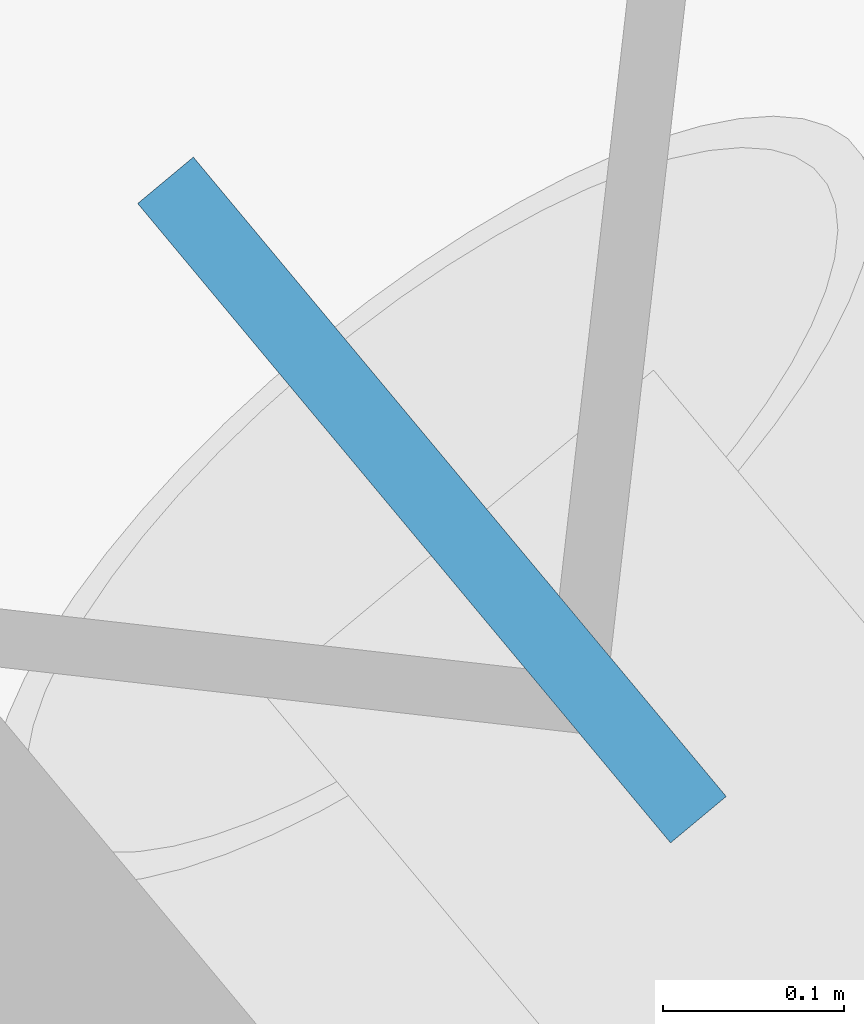
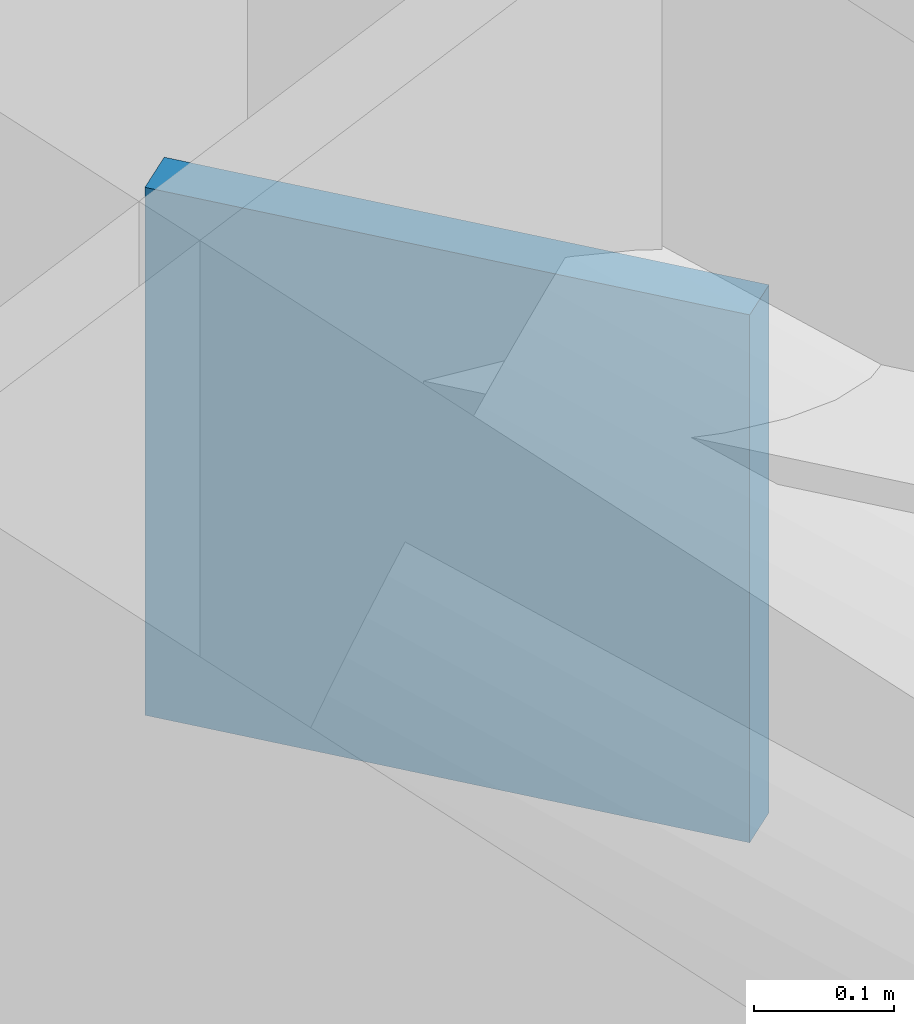
# One storey, part 20 of 21: 1 discrete accessory.
"""IFC4 building model written with IfcOpenShell, lengths in metres."""

from ifc_helpers import new_model, si_unit, direction, frame, origin, origin_2d, place, context, subcontext, project, spatial, rectangle, extrude, material, type_object, element, save


model = new_model("IFC4")

# Units and contexts
model_context = context("Model", 3, precision=1e-05, world=origin(), true_north=direction((0.0, 1.0)))
body_context = subcontext(model_context, "Body", "Model", "MODEL_VIEW")
ifc_project = project(units=[si_unit("LENGTHUNIT", "METRE"), si_unit("AREAUNIT", "SQUARE_METRE"), si_unit("VOLUMEUNIT", "CUBIC_METRE"), si_unit("PLANEANGLEUNIT", "RADIAN"), si_unit("MASSUNIT", "GRAM", prefix="KILO")], contexts=[model_context])

# Site, building, storey
site_placement = place(None, origin())
site = spatial("IfcSite", under=ifc_project, at=site_placement, CompositionType="ELEMENT")
building_placement = place(site_placement, origin())
building = spatial("IfcBuilding", under=site, at=building_placement, Name="Tavrogorsk Clinical Tower", CompositionType="ELEMENT")
storey_placement = place(building_placement, frame((0.0, 0.0, 133.39990234375)))
storey = spatial("IfcBuildingStorey", under=building, at=storey_placement, Name="L30", CompositionType="ELEMENT", Elevation=133.39990234375)

# Discrete accessory
ifc_material = material(Name="Structural steel S440", Category="steel")
discrete_accessory_type = type_object("IfcDiscreteAccessoryType", Name="GussetPlateBracket_25", PredefinedType="BRACKET", material=ifc_material)
discrete_accessory_placement = place(storey_placement, frame((37.2109375, 18.06640625, 2.68310546875), z_axis=(0.0, 0.0, 1.0), x_axis=(-0.640243780506, 0.768171791674, 0.0)))
element("IfcDiscreteAccessory", 1, at=discrete_accessory_placement, inside=storey, type_object=discrete_accessory_type, Name="L30 Brace Gusset Plate EXOCRN-L30-2-B", PredefinedType="BRACKET", context=body_context, shape_type="SweptSolid", body=[
    extrude(rectangle(XDim=0.4599609375, YDim=0.0400390625, at=origin_2d()), origin(), (0.0, 0.0, 1.0), 0.4599609375),
])

save(model, "model.ifc")
